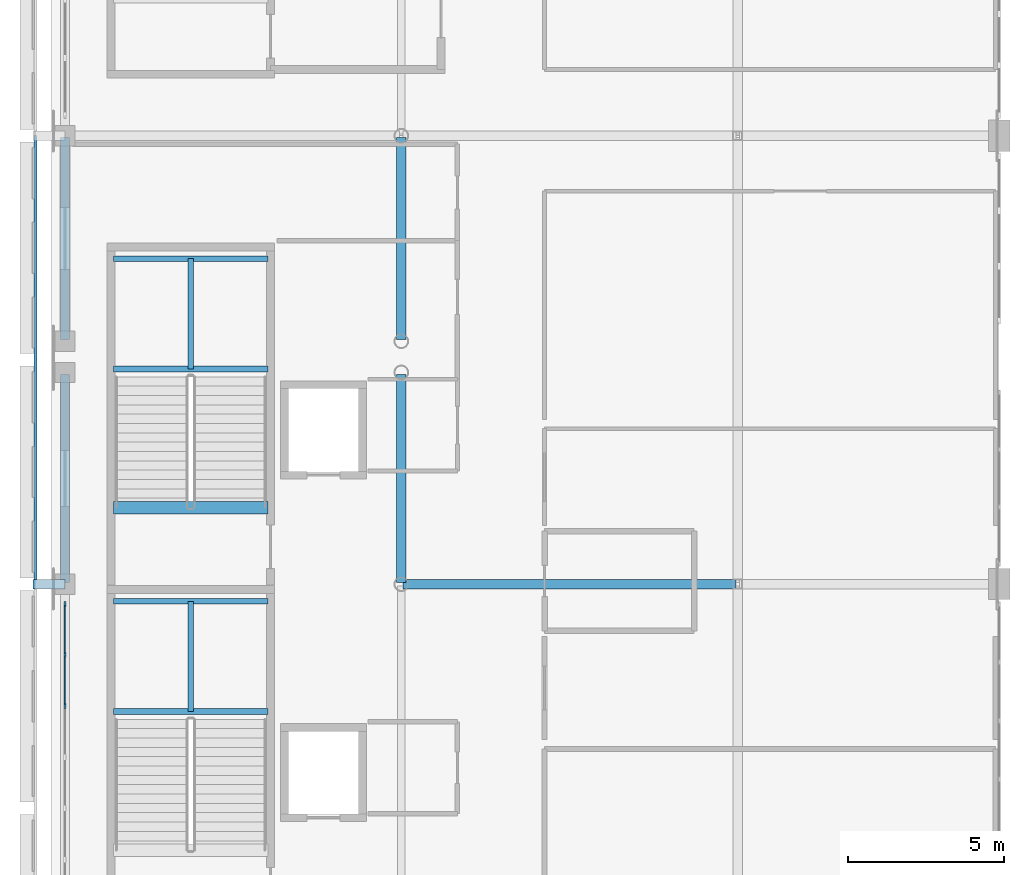
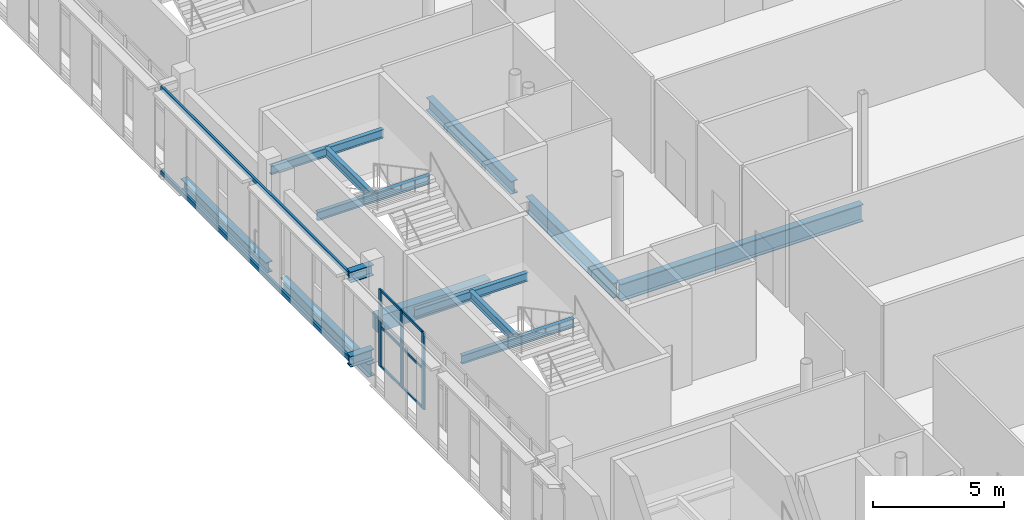
# One storey, part 23 of 104: 14 beams, 11 members, 1 element without a shape of its own.
"""IFC4 building model written with IfcOpenShell, lengths in metres."""

from ifc_helpers import new_model, si_unit, direction, frame, origin, origin_2d, place, context, subcontext, project, spatial, rectangle, hollow_rectangle, i_section, extrude, material, material_profile, profile_set, type_object, element, aggregate, save


model = new_model("IFC4")

# Units and contexts
model_context = context("Model", 3, precision=1e-05, world=origin(), true_north=direction((0.0, 1.0)))
body_context = subcontext(model_context, "Body", "Model", "MODEL_VIEW")
ifc_project = project(units=[si_unit("LENGTHUNIT", "METRE"), si_unit("AREAUNIT", "SQUARE_METRE"), si_unit("VOLUMEUNIT", "CUBIC_METRE"), si_unit("PLANEANGLEUNIT", "RADIAN"), si_unit("MASSUNIT", "GRAM", prefix="KILO")], contexts=[model_context])

# Site, building, storey
site_placement = place(None, origin())
site = spatial("IfcSite", under=ifc_project, at=site_placement, CompositionType="ELEMENT")
building_placement = place(site_placement, origin())
building = spatial("IfcBuilding", under=site, at=building_placement, Name="Koshinbarg Plaza Stadium", CompositionType="ELEMENT")
storey_placement = place(building_placement, frame((0.0, 0.0, 19.800048828125)))
storey = spatial("IfcBuildingStorey", under=building, at=storey_placement, Name="L04", CompositionType="ELEMENT", Elevation=19.800048828125)

# Beams
ifc_material_1 = material(Name="Steel S355", Category="steel")
ifc_material_profile_1 = material_profile(ifc_material_1, i_section(OverallWidth=0.300048828125, OverallDepth=0.5, WebThickness=0.014404296875, FlangeThickness=0.028076171875, at=origin_2d()), Name="HEB 500")
ifc_profile_set_1 = profile_set([ifc_material_profile_1], Name="Steel S355")
beam_type_1 = type_object("IfcBeamType", Name="BM-CANOPY-CANT", PredefinedType="BEAM", material=ifc_profile_set_1)
for number, where, z_axis, x_axis, name in (
    (1, (24.60009765625, 68.699951171875, 0.25), (-1.0, 0.0, 0.0), (0.0, -1.0, 0.0), "Outer screen cantilever outrigger W-L04-Y04"),
    (2, (24.60009765625, 68.699951171875, 4.179931640625), (-1.0, 0.0, 0.0), (0.0, -1.0, 0.0), "Outer screen cantilever outrigger W-L04-Y04"),
):
    element("IfcBeam", number, at=place(storey_placement, frame(where, z_axis=z_axis, x_axis=x_axis)), inside=storey, type_object=beam_type_1, Name=name, PredefinedType="BEAM", context=body_context, shape_type="SweptSolid", body=[
        extrude(i_section(OverallWidth=0.300048828125, OverallDepth=0.5, WebThickness=0.014404296875, FlangeThickness=0.028076171875, at=origin_2d()), origin(), (0.0, 0.0, 1.0), 1.030029296875),
    ])
ifc_material_2 = material(Name="Concrete C40/50", Category="concrete")
ifc_material_profile_2 = material_profile(ifc_material_2, rectangle(XDim=0.39990234375, YDim=0.75, at=origin_2d()), Name="RC 400x750")
ifc_profile_set_2 = profile_set([ifc_material_profile_2], Name="Concrete C40/50")
beam_type_2 = type_object("IfcBeamType", Name="BM-RCG-03", PredefinedType="USERDEFINED", material=ifc_profile_set_2)
beam_1_placement = place(storey_placement, frame((26.14990234375, 71.159912109375, -0.375), z_axis=(1.0, 0.0, 0.0), x_axis=(0.0, 1.0, 0.0)))
element("IfcBeam", 3, at=beam_1_placement, inside=storey, type_object=beam_type_2, Name="L04 stair landing header beam C04", ObjectType="GIRDER", PredefinedType="USERDEFINED", context=body_context, shape_type="SweptSolid", body=[
    extrude(rectangle(XDim=0.39990234375, YDim=0.75, at=origin_2d()), origin(), (0.0, 0.0, 1.0), 4.97021484375),
])
ifc_material_profile_3 = material_profile(ifc_material_1, i_section(OverallWidth=0.179931640625, OverallDepth=0.39990234375, WebThickness=0.008544921875, FlangeThickness=0.013427734375, at=origin_2d()), Name="IPE 400")
ifc_profile_set_3 = profile_set([ifc_material_profile_3], Name="Steel S355")
beam_type_3 = type_object("IfcBeamType", Name="BM-SBM-01", PredefinedType="BEAM", material=ifc_profile_set_3)
for number, where, z_axis, x_axis, name in (
    (4, (26.14990234375, 64.610107421875, 1.8798828125), (1.0, 0.0, 0.0), (0.0, 1.0, 0.0), "L04 Protected Exit Stair C03 landing trimmer beam 1"),
    (5, (26.14990234375, 68.14990234375, 1.8798828125), (1.0, 0.0, 0.0), (0.0, 1.0, 0.0), "L04 Protected Exit Stair C03 landing trimmer beam 2"),
):
    element("IfcBeam", number, at=place(storey_placement, frame(where, z_axis=z_axis, x_axis=x_axis)), inside=storey, type_object=beam_type_3, Name=name, PredefinedType="BEAM", context=body_context, shape_type="SweptSolid", body=[
        extrude(i_section(OverallWidth=0.179931640625, OverallDepth=0.39990234375, WebThickness=0.008544921875, FlangeThickness=0.013427734375, at=origin_2d()), origin(), (0.0, 0.0, 1.0), 4.97021484375),
    ])
beam_2_placement = place(storey_placement, frame((28.635009765625, 64.610107421875, 1.8798828125), z_axis=(0.0, 1.0, 0.0), x_axis=(-1.0, 0.0, 0.0)))
element("IfcBeam", 6, at=beam_2_placement, inside=storey, type_object=beam_type_3, Name="L04 Protected Exit Stair C03 landing trimmer beam 3", PredefinedType="BEAM", context=body_context, shape_type="SweptSolid", body=[
    extrude(i_section(OverallWidth=0.179931640625, OverallDepth=0.39990234375, WebThickness=0.008544921875, FlangeThickness=0.013427734375, at=origin_2d()), origin(), (0.0, 0.0, 1.0), 3.539794921875),
])
for number, where, z_axis, x_axis, name in (
    (7, (26.14990234375, 75.610107421875, 1.8798828125), (1.0, 0.0, 0.0), (0.0, 1.0, 0.0), "L04 Protected Exit Stair C04 landing trimmer beam 1"),
    (8, (26.14990234375, 79.14990234375, 1.8798828125), (1.0, 0.0, 0.0), (0.0, 1.0, 0.0), "L04 Protected Exit Stair C04 landing trimmer beam 2"),
):
    element("IfcBeam", number, at=place(storey_placement, frame(where, z_axis=z_axis, x_axis=x_axis)), inside=storey, type_object=beam_type_3, Name=name, PredefinedType="BEAM", context=body_context, shape_type="SweptSolid", body=[
        extrude(i_section(OverallWidth=0.179931640625, OverallDepth=0.39990234375, WebThickness=0.008544921875, FlangeThickness=0.013427734375, at=origin_2d()), origin(), (0.0, 0.0, 1.0), 4.97021484375),
    ])
beam_3_placement = place(storey_placement, frame((28.635009765625, 75.610107421875, 1.8798828125), z_axis=(0.0, 1.0, 0.0), x_axis=(-1.0, 0.0, 0.0)))
element("IfcBeam", 9, at=beam_3_placement, inside=storey, type_object=beam_type_3, Name="L04 Protected Exit Stair C04 landing trimmer beam 3", PredefinedType="BEAM", context=body_context, shape_type="SweptSolid", body=[
    extrude(i_section(OverallWidth=0.179931640625, OverallDepth=0.39990234375, WebThickness=0.008544921875, FlangeThickness=0.013427734375, at=origin_2d()), origin(), (0.0, 0.0, 1.0), 3.539794921875),
])
ifc_material_profile_4 = material_profile(ifc_material_1, i_section(OverallWidth=0.300048828125, OverallDepth=0.5, WebThickness=0.014404296875, FlangeThickness=0.028076171875, at=origin_2d()), Name="HEB 500")
ifc_profile_set_4 = profile_set([ifc_material_profile_4], Name="Steel S355")
beam_type_4 = type_object("IfcBeamType", Name="BM-SGIR-01", PredefinedType="USERDEFINED", material=ifc_profile_set_4)
beam_4_placement = place(storey_placement, frame((24.60009765625, 76.56005859375, -0.550048828125), z_axis=(0.0, 1.0, 0.0), x_axis=(-1.0, 0.0, 0.0)))
element("IfcBeam", 10, at=beam_4_placement, inside=storey, type_object=beam_type_4, Name="L04 Y girder 5/L-M", ObjectType="GIRDER", PredefinedType="USERDEFINED", context=body_context, shape_type="SweptSolid", body=[
    extrude(i_section(OverallWidth=0.300048828125, OverallDepth=0.5, WebThickness=0.014404296875, FlangeThickness=0.028076171875, at=origin_2d()), origin(), (0.0, 0.0, 1.0), 6.47998046875),
])
ifc_material_profile_5 = material_profile(ifc_material_1, i_section(OverallWidth=0.300048828125, OverallDepth=0.60009765625, WebThickness=0.015380859375, FlangeThickness=0.030029296875, at=origin_2d()), Name="HEB 600")
ifc_profile_set_5 = profile_set([ifc_material_profile_5], Name="Steel S355")
beam_type_5 = type_object("IfcBeamType", Name="BM-SGIR-02", PredefinedType="USERDEFINED", material=ifc_profile_set_5)
beam_5_placement = place(storey_placement, frame((24.60009765625, 68.760009765625, -0.60009765625), z_axis=(0.0, 1.0, 0.0), x_axis=(-1.0, 0.0, 0.0)))
element("IfcBeam", 11, at=beam_5_placement, inside=storey, type_object=beam_type_5, Name="L04 Y girder 5/J-K", ObjectType="GIRDER", PredefinedType="USERDEFINED", context=body_context, shape_type="SweptSolid", body=[
    extrude(i_section(OverallWidth=0.300048828125, OverallDepth=0.60009765625, WebThickness=0.015380859375, FlangeThickness=0.030029296875, at=origin_2d()), origin(), (0.0, 0.0, 1.0), 6.679931640625),
])
beam_6_placement = place(storey_placement, frame((35.39990234375, 76.56005859375, -0.60009765625), z_axis=(0.0, 1.0, 0.0), x_axis=(-1.0, 0.0, 0.0)))
element("IfcBeam", 12, at=beam_6_placement, inside=storey, type_object=beam_type_5, Name="L04 Y girder 6/L-M", ObjectType="GIRDER", PredefinedType="USERDEFINED", context=body_context, shape_type="SweptSolid", body=[
    extrude(i_section(OverallWidth=0.300048828125, OverallDepth=0.60009765625, WebThickness=0.015380859375, FlangeThickness=0.030029296875, at=origin_2d()), origin(), (0.0, 0.0, 1.0), 6.47998046875),
])
ifc_material_profile_6 = material_profile(ifc_material_1, i_section(OverallWidth=0.300048828125, OverallDepth=0.699951171875, WebThickness=0.01708984375, FlangeThickness=0.031982421875, at=origin_2d()), Name="HEB 700")
ifc_profile_set_6 = profile_set([ifc_material_profile_6], Name="Steel S355")
beam_type_6 = type_object("IfcBeamType", Name="BM-SGIR-03", PredefinedType="USERDEFINED", material=ifc_profile_set_6)
beam_7_placement = place(storey_placement, frame((35.39990234375, 68.760009765625, -0.650146484375), z_axis=(0.0, 1.0, 0.0), x_axis=(-1.0, 0.0, 0.0)))
element("IfcBeam", 13, at=beam_7_placement, inside=storey, type_object=beam_type_6, Name="L04 Y girder 6/J-K", ObjectType="GIRDER", PredefinedType="USERDEFINED", context=body_context, shape_type="SweptSolid", body=[
    extrude(i_section(OverallWidth=0.300048828125, OverallDepth=0.699951171875, WebThickness=0.01708984375, FlangeThickness=0.031982421875, at=origin_2d()), origin(), (0.0, 0.0, 1.0), 6.679931640625),
])
ifc_material_profile_7 = material_profile(ifc_material_1, i_section(OverallWidth=0.300048828125, OverallDepth=0.800048828125, WebThickness=0.017578125, FlangeThickness=0.032958984375, at=origin_2d()), Name="HEB 800")
ifc_profile_set_7 = profile_set([ifc_material_profile_7], Name="Steel S355")
beam_type_7 = type_object("IfcBeamType", Name="BM-SGIR-04", PredefinedType="USERDEFINED", material=ifc_profile_set_7)
beam_8_placement = place(storey_placement, frame((35.4599609375, 68.699951171875, -0.699951171875), z_axis=(1.0, 0.0, 0.0), x_axis=(0.0, 1.0, 0.0)))
element("IfcBeam", 14, at=beam_8_placement, inside=storey, type_object=beam_type_7, Name="L04 X girder J/6-7", ObjectType="GIRDER", PredefinedType="USERDEFINED", context=body_context, shape_type="SweptSolid", body=[
    extrude(i_section(OverallWidth=0.300048828125, OverallDepth=0.800048828125, WebThickness=0.017578125, FlangeThickness=0.032958984375, at=origin_2d()), origin(), (0.0, 0.0, 1.0), 10.679931640625),
])

# Curtain wall, members
ifc_material_3 = material(Name="Thermally broken anodised aluminium and low-E double glazing", Category="aluminium")
curtain_wall_type = type_object("IfcCurtainWallType", Name="CW-SYS-15", PredefinedType="NOTDEFINED", material=ifc_material_3)
curtain_wall_placement = place(storey_placement, origin())
curtain_wall = element("IfcCurtainWall", 15, at=curtain_wall_placement, inside=storey, type_object=curtain_wall_type, Name="L04 unitised curtain wall CW-L04-094", PredefinedType="NOTDEFINED")
ifc_material_4 = material(Name="Anodised aluminium mullion", Category="aluminium")
ifc_material_profile_8 = material_profile(ifc_material_4, rectangle(XDim=0.070068359375, YDim=0.179931640625, at=origin_2d()), Name="ALU 70x180")
ifc_profile_set_8 = profile_set([ifc_material_profile_8], Name="Anodised aluminium mullion")
member_type_1 = type_object("IfcMemberType", Name="CW-MUL-03", PredefinedType="MULLION", material=ifc_profile_set_8)
member_1_placement = place(storey_placement, frame((24.60009765625, 64.7900390625, 0.0), z_axis=(0.0, 0.0, 1.0), x_axis=(-1.0, 0.0, 0.0)))
member_1 = element("IfcMember", 16, at=member_1_placement, type_object=member_type_1, Name="CW15 mullion 7", PredefinedType="MULLION", context=body_context, shape_type="SweptSolid", body=[
    extrude(rectangle(XDim=0.070068359375, YDim=0.179931640625, at=origin_2d()), origin(), (0.0, 0.0, 1.0), 3.579833984375),
])
member_2_placement = place(storey_placement, frame((24.60009765625, 66.43505859375, 0.0), z_axis=(0.0, 0.0, 1.0), x_axis=(-1.0, 0.0, 0.0)))
member_2 = element("IfcMember", 17, at=member_2_placement, type_object=member_type_1, Name="CW15 mullion 8", PredefinedType="MULLION", context=body_context, shape_type="SweptSolid", body=[
    extrude(rectangle(XDim=0.070068359375, YDim=0.179931640625, at=origin_2d()), origin(), (0.0, 0.0, 1.0), 3.579833984375),
])
member_3_placement = place(storey_placement, frame((24.60009765625, 68.050048828125, 0.0), z_axis=(0.0, 0.0, 1.0), x_axis=(-1.0, 0.0, 0.0)))
member_3 = element("IfcMember", 18, at=member_3_placement, type_object=member_type_1, Name="CW15 mullion 9", PredefinedType="MULLION", context=body_context, shape_type="SweptSolid", body=[
    extrude(rectangle(XDim=0.070068359375, YDim=0.179931640625, at=origin_2d()), origin(), (0.0, 0.0, 1.0), 3.579833984375),
])
ifc_material_5 = material(Name="Anodised aluminium transom", Category="aluminium")
ifc_material_profile_9 = material_profile(ifc_material_5, rectangle(XDim=0.06005859375, YDim=0.110107421875, at=origin_2d()), Name="ALU 60x110")
ifc_profile_set_9 = profile_set([ifc_material_profile_9], Name="Anodised aluminium transom")
member_type_2 = type_object("IfcMemberType", Name="CW-TRN-01", PredefinedType="USERDEFINED", material=ifc_profile_set_9)
member_4_placement = place(storey_placement, frame((24.60009765625, 64.820068359375, 0.030029296875), z_axis=(0.0, 1.0, 0.0), x_axis=(-1.0, 0.0, 0.0)))
member_4 = element("IfcMember", 19, at=member_4_placement, type_object=member_type_2, Name="CW15 transom 7.1", ObjectType="TRANSOM", PredefinedType="USERDEFINED", context=body_context, shape_type="SweptSolid", body=[
    extrude(rectangle(XDim=0.06005859375, YDim=0.110107421875, at=origin_2d()), origin(), (0.0, 0.0, 1.0), 1.5849609375),
])
member_5_placement = place(storey_placement, frame((24.60009765625, 64.820068359375, 1.861572265625), z_axis=(0.0, 1.0, 0.0), x_axis=(-1.0, 0.0, 0.0)))
member_5 = element("IfcMember", 20, at=member_5_placement, type_object=member_type_2, Name="CW15 transom 7.2", ObjectType="TRANSOM", PredefinedType="USERDEFINED", context=body_context, shape_type="SweptSolid", body=[
    extrude(rectangle(XDim=0.06005859375, YDim=0.110107421875, at=origin_2d()), origin(), (0.0, 0.0, 1.0), 1.5849609375),
])
member_6_placement = place(storey_placement, frame((24.60009765625, 64.820068359375, 3.550048828125), z_axis=(0.0, 1.0, 0.0), x_axis=(-1.0, 0.0, 0.0)))
member_6 = element("IfcMember", 21, at=member_6_placement, type_object=member_type_2, Name="CW15 transom 7.3", ObjectType="TRANSOM", PredefinedType="USERDEFINED", context=body_context, shape_type="SweptSolid", body=[
    extrude(rectangle(XDim=0.06005859375, YDim=0.110107421875, at=origin_2d()), origin(), (0.0, 0.0, 1.0), 1.5849609375),
])
member_7_placement = place(storey_placement, frame((24.60009765625, 66.465087890625, 0.030029296875), z_axis=(0.0, 1.0, 0.0), x_axis=(-1.0, 0.0, 0.0)))
member_7 = element("IfcMember", 22, at=member_7_placement, type_object=member_type_2, Name="CW15 transom 8.1", ObjectType="TRANSOM", PredefinedType="USERDEFINED", context=body_context, shape_type="SweptSolid", body=[
    extrude(rectangle(XDim=0.06005859375, YDim=0.110107421875, at=origin_2d()), origin(), (0.0, 0.0, 1.0), 1.554931640625),
])
member_8_placement = place(storey_placement, frame((24.60009765625, 66.465087890625, 1.861572265625), z_axis=(0.0, 1.0, 0.0), x_axis=(-1.0, 0.0, 0.0)))
member_8 = element("IfcMember", 23, at=member_8_placement, type_object=member_type_2, Name="CW15 transom 8.2", ObjectType="TRANSOM", PredefinedType="USERDEFINED", context=body_context, shape_type="SweptSolid", body=[
    extrude(rectangle(XDim=0.06005859375, YDim=0.110107421875, at=origin_2d()), origin(), (0.0, 0.0, 1.0), 1.554931640625),
])
member_9_placement = place(storey_placement, frame((24.60009765625, 66.465087890625, 3.550048828125), z_axis=(0.0, 1.0, 0.0), x_axis=(-1.0, 0.0, 0.0)))
member_9 = element("IfcMember", 24, at=member_9_placement, type_object=member_type_2, Name="CW15 transom 8.3", ObjectType="TRANSOM", PredefinedType="USERDEFINED", context=body_context, shape_type="SweptSolid", body=[
    extrude(rectangle(XDim=0.06005859375, YDim=0.110107421875, at=origin_2d()), origin(), (0.0, 0.0, 1.0), 1.554931640625),
])
aggregate(curtain_wall, [member_1, member_2, member_3, member_4, member_5, member_6, member_7, member_8, member_9])

# Members
ifc_material_profile_10 = material_profile(ifc_material_1, hollow_rectangle(XDim=0.10009765625, YDim=0.199951171875, WallThickness=0.008056640625, at=origin_2d()), Name="RHS 200x100x8")
ifc_profile_set_10 = profile_set([ifc_material_profile_10], Name="Steel S355")
member_type_3 = type_object("IfcMemberType", Name="MB-PURL-03", PredefinedType="PURLIN", material=ifc_profile_set_10)
for number, where, z_axis, x_axis, name in (
    (25, (23.64990234375, 68.699951171875, 0.25), (0.0, 1.0, 0.0), (-1.0, 0.0, 0.0), "L04 outer screen subframe rail W-4-BOT"),
    (26, (23.64990234375, 68.699951171875, 4.179931640625), (0.0, 1.0, 0.0), (-1.0, 0.0, 0.0), "L04 outer screen subframe rail W-4-TOP"),
):
    element("IfcMember", number, at=place(storey_placement, frame(where, z_axis=z_axis, x_axis=x_axis)), inside=storey, type_object=member_type_3, Name=name, PredefinedType="PURLIN", context=body_context, shape_type="SweptSolid", body=[
        extrude(hollow_rectangle(XDim=0.10009765625, YDim=0.199951171875, WallThickness=0.008056640625, at=origin_2d()), origin(), (0.0, 0.0, 1.0), 14.400146484375),
    ])

save(model, "model.ifc")
